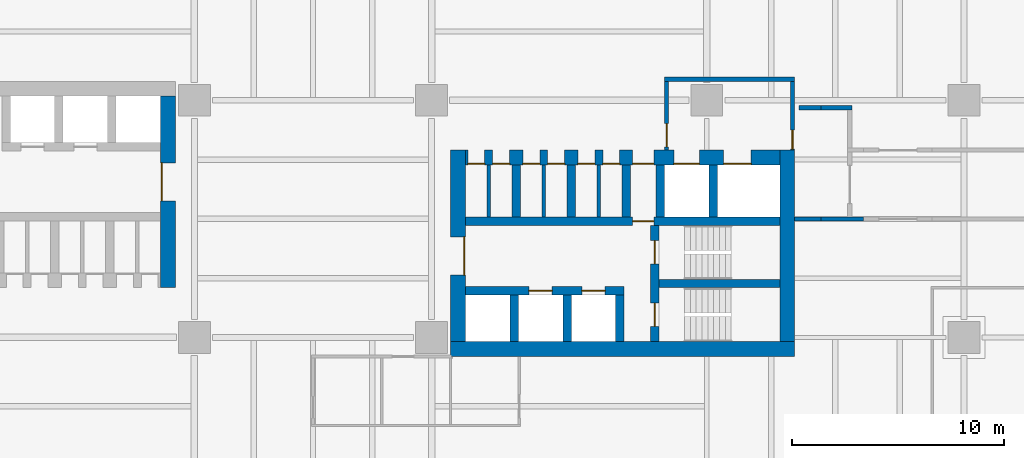
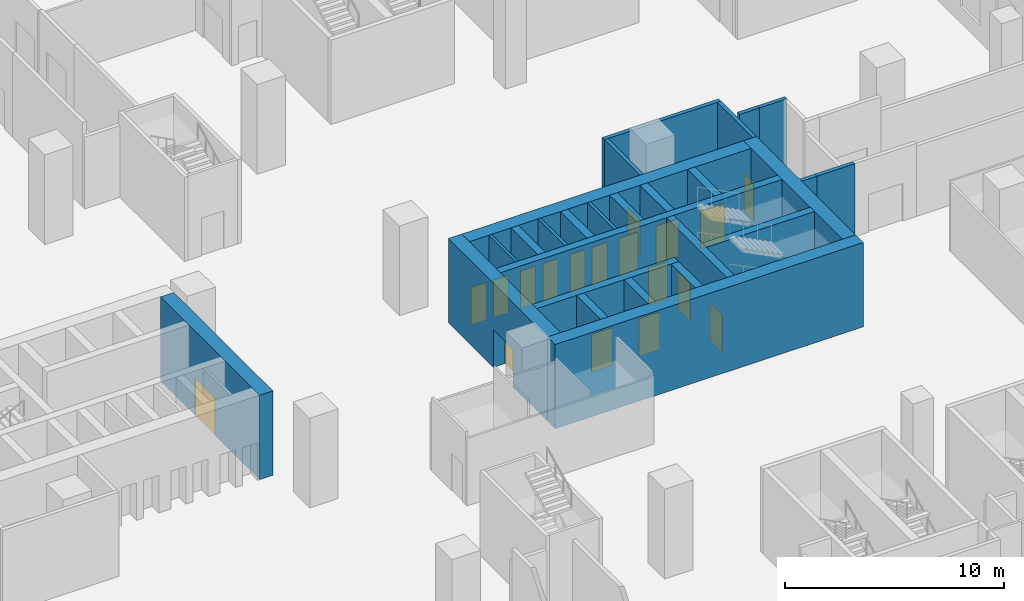
# One storey, part 10 of 17: 27 walls, 18 doors, 18 openings.
"""IFC4 building model written with IfcOpenShell, lengths in metres."""

from ifc_helpers import new_model, si_unit, direction, frame, frame_2d, origin, place, context, subcontext, project, spatial, rectangle, extrude, source, transform, mapped, material, layer, layer_set, type_object, element, fill, save


model = new_model("IFC4")

# Units and contexts
model_context = context("Model", 3, precision=1e-05, world=origin(), true_north=direction((0.0, 1.0)))
body_context = subcontext(model_context, "Body", "Model", "MODEL_VIEW")
ifc_project = project(units=[si_unit("LENGTHUNIT", "METRE"), si_unit("AREAUNIT", "SQUARE_METRE"), si_unit("VOLUMEUNIT", "CUBIC_METRE"), si_unit("PLANEANGLEUNIT", "RADIAN"), si_unit("MASSUNIT", "GRAM", prefix="KILO")], contexts=[model_context])

# Site, building, storey
site_placement = place(None, origin())
site = spatial("IfcSite", under=ifc_project, at=site_placement, CompositionType="ELEMENT")
building_placement = place(site_placement, origin())
building = spatial("IfcBuilding", under=site, at=building_placement, Name="Trellis Farm Tower", CompositionType="ELEMENT")
storey_placement = place(building_placement, frame((0.0, 0.0, 19.0)))
storey = spatial("IfcBuildingStorey", under=building, at=storey_placement, Name="L03", CompositionType="ELEMENT", Elevation=19.0)

# Wall, opening, door
ifc_material_1 = material(Name="Concrete C80/95", Category="concrete")
ifc_layer_1 = layer(ifc_material_1, 0.699951171875)
ifc_layer_set_1 = layer_set([ifc_layer_1], Name="CORE OUTER WALL 700 CONCRETE C80/95")
wall_type_1 = type_object("IfcWallType", Name="CORE OUTER WALL 700 CONCRETE C80/95", PredefinedType="SHEAR", material=ifc_layer_set_1)
shared_shape_1 = source(origin(), body_context, "Body", "SweptSolid", [
    extrude(rectangle(XDim=9.050048828125, YDim=0.699951171875, at=frame_2d((4.52490234375, 0.0))), origin(), (0.0, 0.0, 1.0), 4.699951171875),
])
wall_1_placement = place(storey_placement, frame((6.85009765625, -5.800048828125, 0.0), z_axis=(0.0, 0.0, 1.0), x_axis=(0.0, 1.0, 0.0)))
wall_1 = element("IfcWall", 1, at=wall_1_placement, inside=storey, type_object=wall_type_1, Name="Core wall", PredefinedType="SHEAR", context=body_context, shape_type="MappedRepresentation", body=[
    mapped(shared_shape_1, transform((0.0, 0.0, 0.0))),
])
shared_shape_2 = source(origin(), body_context, "Body", "SweptSolid", [
    extrude(rectangle(XDim=1.800048828125, YDim=2.10009765625, at=frame_2d((0.89990234375, 1.050048828125))), frame((0.0, 0.360107421875, 0.0), z_axis=(0.0, -1.0, 0.0), x_axis=(1.0, 0.0, 0.0)), (0.0, 0.0, 1.0), 0.72021484375),
])
opening_1_placement = place(wall_1_placement, frame((3.14990234375, 0.0, 0.0)))
opening_1 = element("IfcOpeningElement", 2, at=opening_1_placement, cuts=wall_1, Name="Opening DC1", PredefinedType="OPENING", context=body_context, shape_type="MappedRepresentation", body=[
    mapped(shared_shape_2, transform((0.0, 0.0, 0.0))),
])
ifc_material_2 = material(Name="Steel", Category="steel")
door_type_1 = type_object("IfcDoorType", Name="CORE FIRE DOOR DOUBLE 1800 X 2100", OperationType="DOUBLE_DOOR_SINGLE_SWING", PredefinedType="DOOR", material=ifc_material_2)
shared_shape_3 = source(origin(), body_context, "Body", "SweptSolid", [
    extrude(rectangle(XDim=1.800048828125, YDim=2.10009765625, at=frame_2d((0.89990234375, 1.050048828125))), frame((0.0, -0.27490234375, 0.0), z_axis=(0.0, -1.0, 0.0), x_axis=(1.0, 0.0, 0.0)), (0.0, 0.0, 1.0), 0.050048828125),
])
door_1_placement = place(opening_1_placement, origin())
door_1 = element("IfcDoor", 3, at=door_1_placement, inside=storey, type_object=door_type_1, Name="Core door", OperationType="DOUBLE_DOOR_SINGLE_SWING", OverallHeight=2.10009765625, OverallWidth=1.800048828125, PredefinedType="DOOR", context=body_context, shape_type="MappedRepresentation", body=[
    mapped(shared_shape_3, transform((0.0, 0.0, 0.0))),
])
fill(opening_1, door_1)

# Wall
wall_2_placement = place(storey_placement, frame((22.39990234375, -5.800048828125, 0.0), z_axis=(0.0, 0.0, 1.0), x_axis=(0.0, 1.0, 0.0)))
element("IfcWall", 4, at=wall_2_placement, inside=storey, type_object=wall_type_1, Name="Core wall", PredefinedType="SHEAR", context=body_context, shape_type="MappedRepresentation", body=[
    mapped(shared_shape_1, transform((0.0, 0.0, 0.0))),
])

# Wall, opening, door
wall_3_placement = place(storey_placement, frame((-6.85009765625, 5.800048828125, 0.0), z_axis=(0.0, 0.0, 1.0), x_axis=(0.0, -1.0, 0.0)))
wall_3 = element("IfcWall", 5, at=wall_3_placement, inside=storey, type_object=wall_type_1, Name="Core wall", PredefinedType="SHEAR", context=body_context, shape_type="MappedRepresentation", body=[
    mapped(shared_shape_1, transform((0.0, 0.0, 0.0))),
])
opening_2_placement = place(wall_3_placement, frame((3.14990234375, 0.0, 0.0)))
opening_2 = element("IfcOpeningElement", 6, at=opening_2_placement, cuts=wall_3, Name="Opening DC87", PredefinedType="OPENING", context=body_context, shape_type="MappedRepresentation", body=[
    mapped(shared_shape_2, transform((0.0, 0.0, 0.0))),
])
door_2_placement = place(opening_2_placement, origin())
door_2 = element("IfcDoor", 7, at=door_2_placement, inside=storey, type_object=door_type_1, Name="Core door", OperationType="DOUBLE_DOOR_SINGLE_SWING", OverallHeight=2.10009765625, OverallWidth=1.800048828125, PredefinedType="DOOR", context=body_context, shape_type="MappedRepresentation", body=[
    mapped(shared_shape_3, transform((0.0, 0.0, 0.0))),
])
fill(opening_2, door_2)

# Walls
ifc_layer_2 = layer(ifc_material_1, 0.39990234375)
ifc_layer_set_2 = layer_set([ifc_layer_2], Name="CORE INNER WALL 400 CONCRETE C80/95")
wall_type_2 = type_object("IfcWallType", Name="CORE INNER WALL 400 CONCRETE C80/95", PredefinedType="SHEAR", material=ifc_layer_set_2)
shared_shape_4 = source(origin(), body_context, "Body", "SweptSolid", [
    extrude(rectangle(XDim=2.199951171875, YDim=0.39990234375, at=frame_2d((1.10009765625, 0.0))), origin(), (0.0, 0.0, 1.0), 4.699951171875),
])
for number, where, z_axis, x_axis, name in (
    (8, (9.5, -5.800048828125, 0.0), (0.0, 0.0, 1.0), (0.0, 1.0, 0.0), "Core wall"),
    (9, (12.0, -5.800048828125, 0.0), (0.0, 0.0, 1.0), (0.0, 1.0, 0.0), "Core wall"),
    (10, (14.5, -5.800048828125, 0.0), (0.0, 0.0, 1.0), (0.0, 1.0, 0.0), "Core wall"),
):
    element("IfcWall", number, at=place(storey_placement, frame(where, z_axis=z_axis, x_axis=x_axis)), inside=storey, type_object=wall_type_2, Name=name, PredefinedType="SHEAR", context=body_context, shape_type="MappedRepresentation", body=[
        mapped(shared_shape_4, transform((0.0, 0.0, 0.0))),
    ])
shared_shape_5 = source(origin(), body_context, "Body", "SweptSolid", [
    extrude(rectangle(XDim=2.449951171875, YDim=0.39990234375, at=frame_2d((1.22509765625, 0.0))), origin(), (0.0, 0.0, 1.0), 4.699951171875),
])
for number, where, z_axis, x_axis, name in (
    (11, (9.60009765625, 0.10009765625, 0.0), (0.0, 0.0, 1.0), (0.0, 1.0, 0.0), "Core wall"),
    (12, (12.199951171875, 0.10009765625, 0.0), (0.0, 0.0, 1.0), (0.0, 1.0, 0.0), "Core wall"),
    (13, (14.800048828125, 0.10009765625, 0.0), (0.0, 0.0, 1.0), (0.0, 1.0, 0.0), "Core wall"),
    (14, (16.39990234375, 0.10009765625, 0.0), (0.0, 0.0, 1.0), (0.0, 1.0, 0.0), "Core wall"),
    (15, (18.89990234375, 0.10009765625, 0.0), (0.0, 0.0, 1.0), (0.0, 1.0, 0.0), "Core wall"),
):
    element("IfcWall", number, at=place(storey_placement, frame(where, z_axis=z_axis, x_axis=x_axis)), inside=storey, type_object=wall_type_2, Name=name, PredefinedType="SHEAR", context=body_context, shape_type="MappedRepresentation", body=[
        mapped(shared_shape_5, transform((0.0, 0.0, 0.0))),
    ])

# Wall, opening, door
ifc_material_3 = material(Name="Masonry blockwork", Category="masonry")
ifc_layer_3 = layer(ifc_material_3, 0.199951171875)
ifc_layer_set_3 = layer_set([ifc_layer_3], Name="FIRE LOBBY PARTITION 200 BLOCKWORK")
wall_type_3 = type_object("IfcWallType", Name="FIRE LOBBY PARTITION 200 BLOCKWORK", PredefinedType="PARTITIONING", material=ifc_layer_set_3)
shared_shape_6 = source(origin(), body_context, "Body", "SweptSolid", [
    extrude(rectangle(XDim=3.25, YDim=0.199951171875, at=frame_2d((1.625, 0.0))), origin(), (0.0, 0.0, 1.0), 4.699951171875),
])
wall_4_placement = place(storey_placement, frame((16.699951171875, 3.25, 0.0), z_axis=(0.0, 0.0, 1.0), x_axis=(0.0, 1.0, 0.0)))
wall_4 = element("IfcWall", 16, at=wall_4_placement, inside=storey, type_object=wall_type_3, Name="Fire-fighting lobby partition", PredefinedType="PARTITIONING", context=body_context, shape_type="MappedRepresentation", body=[
    mapped(shared_shape_6, transform((0.0, 0.0, 0.0))),
])
shared_shape_7 = source(origin(), body_context, "Body", "SweptSolid", [
    extrude(rectangle(XDim=1.10009765625, YDim=2.10009765625, at=frame_2d((0.550048828125, 1.050048828125))), frame((0.0, 0.110107421875, 0.0), z_axis=(0.0, -1.0, 0.0), x_axis=(1.0, 0.0, 0.0)), (0.0, 0.0, 1.0), 0.22021484375),
])
opening_3_placement = place(wall_4_placement, frame((0.14990234375, 0.0, 0.0)))
opening_3 = element("IfcOpeningElement", 17, at=opening_3_placement, cuts=wall_4, Name="Opening DC7", PredefinedType="OPENING", context=body_context, shape_type="MappedRepresentation", body=[
    mapped(shared_shape_7, transform((0.0, 0.0, 0.0))),
])
door_type_2 = type_object("IfcDoorType", Name="CORE FIRE DOOR 1100 X 2100", OperationType="NOTDEFINED", PredefinedType="DOOR", material=ifc_material_2)
shared_shape_8 = source(origin(), body_context, "Body", "SweptSolid", [
    extrude(rectangle(XDim=1.10009765625, YDim=2.10009765625, at=frame_2d((0.550048828125, 1.050048828125))), frame((0.0, 0.02490234375, 0.0), z_axis=(0.0, -1.0, 0.0), x_axis=(1.0, 0.0, 0.0)), (0.0, 0.0, 1.0), 0.050048828125),
])
door_3_placement = place(opening_3_placement, origin())
door_3 = element("IfcDoor", 18, at=door_3_placement, inside=storey, type_object=door_type_2, Name="Core door", OperationType="SINGLE_SWING_RIGHT", OverallHeight=2.10009765625, OverallWidth=1.10009765625, PredefinedType="DOOR", context=body_context, shape_type="MappedRepresentation", body=[
    mapped(shared_shape_8, transform((0.0, 0.0, 0.0))),
])
fill(opening_3, door_3)

wall_5_placement = place(storey_placement, frame((22.64990234375, 3.25, 0.0), z_axis=(0.0, 0.0, 1.0), x_axis=(0.0, 1.0, 0.0)))
wall_5 = element("IfcWall", 19, at=wall_5_placement, inside=storey, type_object=wall_type_3, Name="Fire-fighting lobby partition", PredefinedType="PARTITIONING", context=body_context, shape_type="MappedRepresentation", body=[
    mapped(shared_shape_6, transform((0.0, 0.0, 0.0))),
])
shared_shape_9 = source(origin(), body_context, "Body", "SweptSolid", [
    extrude(rectangle(XDim=0.89990234375, YDim=2.10009765625, at=frame_2d((0.449951171875, 1.050048828125))), frame((0.0, 0.110107421875, 0.0), z_axis=(0.0, -1.0, 0.0), x_axis=(1.0, 0.0, 0.0)), (0.0, 0.0, 1.0), 0.22021484375),
])
opening_4_placement = place(wall_5_placement, frame((0.050048828125, 0.0, 0.0)))
opening_4 = element("IfcOpeningElement", 20, at=opening_4_placement, cuts=wall_5, Name="Opening DC8", PredefinedType="OPENING", context=body_context, shape_type="MappedRepresentation", body=[
    mapped(shared_shape_9, transform((0.0, 0.0, 0.0))),
])
door_type_3 = type_object("IfcDoorType", Name="CORE FIRE DOOR 900 X 2100", OperationType="NOTDEFINED", PredefinedType="DOOR", material=ifc_material_2)
shared_shape_10 = source(origin(), body_context, "Body", "SweptSolid", [
    extrude(rectangle(XDim=0.89990234375, YDim=2.10009765625, at=frame_2d((0.449951171875, 1.050048828125))), frame((0.0, 0.02490234375, 0.0), z_axis=(0.0, -1.0, 0.0), x_axis=(1.0, 0.0, 0.0)), (0.0, 0.0, 1.0), 0.050048828125),
])
door_4_placement = place(opening_4_placement, origin())
door_4 = element("IfcDoor", 21, at=door_4_placement, inside=storey, type_object=door_type_3, Name="Core door", OperationType="SINGLE_SWING_RIGHT", OverallHeight=2.10009765625, OverallWidth=0.89990234375, PredefinedType="DOOR", context=body_context, shape_type="MappedRepresentation", body=[
    mapped(shared_shape_10, transform((0.0, 0.0, 0.0))),
])
fill(opening_4, door_4)

# Wall
shared_shape_11 = source(origin(), body_context, "Body", "SweptSolid", [
    extrude(rectangle(XDim=16.25, YDim=0.699951171875, at=frame_2d((8.125, 0.0))), origin(), (0.0, 0.0, 1.0), 4.699951171875),
])
wall_6_placement = place(storey_placement, frame((6.5, -6.14990234375, 0.0), z_axis=(0.0, 0.0, 1.0), x_axis=(1.0, 0.0, 0.0)))
element("IfcWall", 22, at=wall_6_placement, inside=storey, type_object=wall_type_1, Name="Core wall", PredefinedType="SHEAR", context=body_context, shape_type="MappedRepresentation", body=[
    mapped(shared_shape_11, transform((0.0, 0.0, 0.0))),
])

# Wall, openings, doors
shared_shape_12 = source(origin(), body_context, "Body", "SweptSolid", [
    extrude(rectangle(XDim=14.85009765625, YDim=0.699951171875, at=frame_2d((7.425048828125, 0.0))), origin(), (0.0, 0.0, 1.0), 4.699951171875),
])
wall_7_placement = place(storey_placement, frame((7.199951171875, 2.89990234375, 0.0), z_axis=(0.0, 0.0, 1.0), x_axis=(1.0, 0.0, 0.0)))
wall_7 = element("IfcWall", 23, at=wall_7_placement, inside=storey, type_object=wall_type_1, Name="Core wall", PredefinedType="SHEAR", context=body_context, shape_type="MappedRepresentation", body=[
    mapped(shared_shape_12, transform((0.0, 0.0, 0.0))),
])
shared_shape_13 = source(origin(), body_context, "Body", "SweptSolid", [
    extrude(rectangle(XDim=1.300048828125, YDim=2.10009765625, at=frame_2d((0.64990234375, 1.050048828125))), frame((0.0, 0.360107421875, 0.0), z_axis=(0.0, -1.0, 0.0), x_axis=(1.0, 0.0, 0.0)), (0.0, 0.0, 1.0), 0.72021484375),
])
opening_5_placement = place(wall_7_placement, frame((12.199951171875, 0.0, 0.0)))
opening_5 = element("IfcOpeningElement", 24, at=opening_5_placement, cuts=wall_7, Name="Opening LD7", PredefinedType="OPENING", context=body_context, shape_type="MappedRepresentation", body=[
    mapped(shared_shape_13, transform((0.0, 0.0, 0.0))),
])
shared_shape_14 = source(origin(), body_context, "Body", "SweptSolid", [
    extrude(rectangle(XDim=1.199951171875, YDim=2.10009765625, at=frame_2d((0.60009765625, 1.050048828125))), frame((0.0, 0.360107421875, 0.0), z_axis=(0.0, -1.0, 0.0), x_axis=(1.0, 0.0, 0.0)), (0.0, 0.0, 1.0), 0.72021484375),
])
opening_6_placement = place(wall_7_placement, frame((9.85009765625, 0.0, 0.0)))
opening_6 = element("IfcOpeningElement", 25, at=opening_6_placement, cuts=wall_7, Name="Opening LD8", PredefinedType="OPENING", context=body_context, shape_type="MappedRepresentation", body=[
    mapped(shared_shape_14, transform((0.0, 0.0, 0.0))),
])
shared_shape_15 = source(origin(), body_context, "Body", "SweptSolid", [
    extrude(rectangle(XDim=1.0, YDim=2.10009765625, at=frame_2d((0.5, 1.050048828125))), frame((0.0, 0.360107421875, 0.0), z_axis=(0.0, -1.0, 0.0), x_axis=(1.0, 0.0, 0.0)), (0.0, 0.0, 1.0), 0.72021484375),
])
opening_7_placement = place(wall_7_placement, frame((7.89990234375, 0.0, 0.0)))
opening_7 = element("IfcOpeningElement", 26, at=opening_7_placement, cuts=wall_7, Name="Opening DC6", PredefinedType="OPENING", context=body_context, shape_type="MappedRepresentation", body=[
    mapped(shared_shape_15, transform((0.0, 0.0, 0.0))),
])
shared_shape_16 = source(origin(), body_context, "Body", "SweptSolid", [
    extrude(rectangle(XDim=0.800048828125, YDim=2.10009765625, at=frame_2d((0.39990234375, 1.050048828125))), frame((0.0, 0.360107421875, 0.0), z_axis=(0.0, -1.0, 0.0), x_axis=(1.0, 0.0, 0.0)), (0.0, 0.0, 1.0), 0.72021484375),
])
opening_8_placement = place(wall_7_placement, frame((0.112548828125, 0.0, 0.0)))
opening_8 = element("IfcOpeningElement", 27, at=opening_8_placement, cuts=wall_7, Name="Opening DC9", PredefinedType="OPENING", context=body_context, shape_type="MappedRepresentation", body=[
    mapped(shared_shape_16, transform((0.0, 0.0, 0.0))),
])
opening_9_placement = place(wall_7_placement, frame((1.28759765625, 0.0, 0.0)))
opening_9 = element("IfcOpeningElement", 28, at=opening_9_placement, cuts=wall_7, Name="Opening DC16", PredefinedType="OPENING", context=body_context, shape_type="MappedRepresentation", body=[
    mapped(shared_shape_16, transform((0.0, 0.0, 0.0))),
])
opening_10_placement = place(wall_7_placement, frame((2.71240234375, 0.0, 0.0)))
opening_10 = element("IfcOpeningElement", 29, at=opening_10_placement, cuts=wall_7, Name="Opening DC21", PredefinedType="OPENING", context=body_context, shape_type="MappedRepresentation", body=[
    mapped(shared_shape_16, transform((0.0, 0.0, 0.0))),
])
opening_11_placement = place(wall_7_placement, frame((3.887451171875, 0.0, 0.0)))
opening_11 = element("IfcOpeningElement", 30, at=opening_11_placement, cuts=wall_7, Name="Opening DC28", PredefinedType="OPENING", context=body_context, shape_type="MappedRepresentation", body=[
    mapped(shared_shape_16, transform((0.0, 0.0, 0.0))),
])
opening_12_placement = place(wall_7_placement, frame((5.3125, 0.0, 0.0)))
opening_12 = element("IfcOpeningElement", 31, at=opening_12_placement, cuts=wall_7, Name="Opening DC33", PredefinedType="OPENING", context=body_context, shape_type="MappedRepresentation", body=[
    mapped(shared_shape_16, transform((0.0, 0.0, 0.0))),
])
opening_13_placement = place(wall_7_placement, frame((6.487548828125, 0.0, 0.0)))
opening_13 = element("IfcOpeningElement", 32, at=opening_13_placement, cuts=wall_7, Name="Opening DC40", PredefinedType="OPENING", context=body_context, shape_type="MappedRepresentation", body=[
    mapped(shared_shape_16, transform((0.0, 0.0, 0.0))),
])
door_type_4 = type_object("IfcDoorType", Name="CORE FIRE DOOR 1000 X 2100", OperationType="NOTDEFINED", PredefinedType="DOOR", material=ifc_material_2)
shared_shape_17 = source(origin(), body_context, "Body", "SweptSolid", [
    extrude(rectangle(XDim=1.0, YDim=2.10009765625, at=frame_2d((0.5, 1.050048828125))), frame((0.0, -0.27490234375, 0.0), z_axis=(0.0, -1.0, 0.0), x_axis=(1.0, 0.0, 0.0)), (0.0, 0.0, 1.0), 0.050048828125),
])
door_5_placement = place(opening_7_placement, origin())
door_5 = element("IfcDoor", 33, at=door_5_placement, inside=storey, type_object=door_type_4, Name="Core door", OperationType="SINGLE_SWING_LEFT", OverallHeight=2.10009765625, OverallWidth=1.0, PredefinedType="DOOR", context=body_context, shape_type="MappedRepresentation", body=[
    mapped(shared_shape_17, transform((0.0, 0.0, 0.0))),
])
fill(opening_7, door_5)
ifc_material_4 = material(Name="Stainless steel", Category="steel")
door_type_5 = type_object("IfcDoorType", Name="LIFT LANDING DOOR 1300 X 2100", OperationType="DOUBLE_DOOR_SLIDING", PredefinedType="DOOR", material=ifc_material_4)
shared_shape_18 = source(origin(), body_context, "Body", "SweptSolid", [
    extrude(rectangle(XDim=1.300048828125, YDim=2.10009765625, at=frame_2d((0.64990234375, 1.050048828125))), frame((0.0, -0.27490234375, 0.0), z_axis=(0.0, -1.0, 0.0), x_axis=(1.0, 0.0, 0.0)), (0.0, 0.0, 1.0), 0.050048828125),
])
door_6_placement = place(opening_5_placement, origin())
door_6 = element("IfcDoor", 34, at=door_6_placement, inside=storey, type_object=door_type_5, Name="Lift landing door", OperationType="DOUBLE_DOOR_SLIDING", OverallHeight=2.10009765625, OverallWidth=1.300048828125, PredefinedType="DOOR", context=body_context, shape_type="MappedRepresentation", body=[
    mapped(shared_shape_18, transform((0.0, 0.0, 0.0))),
])
fill(opening_5, door_6)
door_type_6 = type_object("IfcDoorType", Name="LIFT LANDING DOOR 1200 X 2100", OperationType="DOUBLE_DOOR_SLIDING", PredefinedType="DOOR", material=ifc_material_4)
shared_shape_19 = source(origin(), body_context, "Body", "SweptSolid", [
    extrude(rectangle(XDim=1.199951171875, YDim=2.10009765625, at=frame_2d((0.60009765625, 1.050048828125))), frame((0.0, -0.27490234375, 0.0), z_axis=(0.0, -1.0, 0.0), x_axis=(1.0, 0.0, 0.0)), (0.0, 0.0, 1.0), 0.050048828125),
])
door_7_placement = place(opening_6_placement, origin())
door_7 = element("IfcDoor", 35, at=door_7_placement, inside=storey, type_object=door_type_6, Name="Lift landing door", OperationType="DOUBLE_DOOR_SLIDING", OverallHeight=2.10009765625, OverallWidth=1.199951171875, PredefinedType="DOOR", context=body_context, shape_type="MappedRepresentation", body=[
    mapped(shared_shape_19, transform((0.0, 0.0, 0.0))),
])
fill(opening_6, door_7)
door_type_7 = type_object("IfcDoorType", Name="CORE FIRE DOOR 800 X 2100", OperationType="NOTDEFINED", PredefinedType="DOOR", material=ifc_material_2)
shared_shape_20 = source(origin(), body_context, "Body", "SweptSolid", [
    extrude(rectangle(XDim=0.800048828125, YDim=2.10009765625, at=frame_2d((0.39990234375, 1.050048828125))), frame((0.0, -0.27490234375, 0.0), z_axis=(0.0, -1.0, 0.0), x_axis=(1.0, 0.0, 0.0)), (0.0, 0.0, 1.0), 0.050048828125),
])
door_8_placement = place(opening_8_placement, origin())
door_8 = element("IfcDoor", 36, at=door_8_placement, inside=storey, type_object=door_type_7, Name="Core door", OperationType="SINGLE_SWING_LEFT", OverallHeight=2.10009765625, OverallWidth=0.800048828125, PredefinedType="DOOR", context=body_context, shape_type="MappedRepresentation", body=[
    mapped(shared_shape_20, transform((0.0, 0.0, 0.0))),
])
fill(opening_8, door_8)
door_9_placement = place(opening_9_placement, origin())
door_9 = element("IfcDoor", 37, at=door_9_placement, inside=storey, type_object=door_type_7, Name="Core door", OperationType="SINGLE_SWING_RIGHT", OverallHeight=2.10009765625, OverallWidth=0.800048828125, PredefinedType="DOOR", context=body_context, shape_type="MappedRepresentation", body=[
    mapped(shared_shape_20, transform((0.0, 0.0, 0.0))),
])
fill(opening_9, door_9)
door_10_placement = place(opening_10_placement, origin())
door_10 = element("IfcDoor", 38, at=door_10_placement, inside=storey, type_object=door_type_7, Name="Core door", OperationType="SINGLE_SWING_LEFT", OverallHeight=2.10009765625, OverallWidth=0.800048828125, PredefinedType="DOOR", context=body_context, shape_type="MappedRepresentation", body=[
    mapped(shared_shape_20, transform((0.0, 0.0, 0.0))),
])
fill(opening_10, door_10)
door_11_placement = place(opening_11_placement, origin())
door_11 = element("IfcDoor", 39, at=door_11_placement, inside=storey, type_object=door_type_7, Name="Core door", OperationType="SINGLE_SWING_RIGHT", OverallHeight=2.10009765625, OverallWidth=0.800048828125, PredefinedType="DOOR", context=body_context, shape_type="MappedRepresentation", body=[
    mapped(shared_shape_20, transform((0.0, 0.0, 0.0))),
])
fill(opening_11, door_11)
door_12_placement = place(opening_12_placement, origin())
door_12 = element("IfcDoor", 40, at=door_12_placement, inside=storey, type_object=door_type_7, Name="Core door", OperationType="SINGLE_SWING_LEFT", OverallHeight=2.10009765625, OverallWidth=0.800048828125, PredefinedType="DOOR", context=body_context, shape_type="MappedRepresentation", body=[
    mapped(shared_shape_20, transform((0.0, 0.0, 0.0))),
])
fill(opening_12, door_12)
door_13_placement = place(opening_13_placement, origin())
door_13 = element("IfcDoor", 41, at=door_13_placement, inside=storey, type_object=door_type_7, Name="Core door", OperationType="SINGLE_SWING_RIGHT", OverallHeight=2.10009765625, OverallWidth=0.800048828125, PredefinedType="DOOR", context=body_context, shape_type="MappedRepresentation", body=[
    mapped(shared_shape_20, transform((0.0, 0.0, 0.0))),
])
fill(opening_13, door_13)

shared_shape_21 = source(origin(), body_context, "Body", "SweptSolid", [
    extrude(rectangle(XDim=7.5, YDim=0.39990234375, at=frame_2d((3.75, 0.0))), origin(), (0.0, 0.0, 1.0), 4.699951171875),
])
wall_8_placement = place(storey_placement, frame((7.199951171875, -3.39990234375, 0.0), z_axis=(0.0, 0.0, 1.0), x_axis=(1.0, 0.0, 0.0)))
wall_8 = element("IfcWall", 42, at=wall_8_placement, inside=storey, type_object=wall_type_2, Name="Core wall", PredefinedType="SHEAR", context=body_context, shape_type="MappedRepresentation", body=[
    mapped(shared_shape_21, transform((0.0, 0.0, 0.0))),
])
shared_shape_22 = source(origin(), body_context, "Body", "SweptSolid", [
    extrude(rectangle(XDim=1.10009765625, YDim=2.10009765625, at=frame_2d((0.550048828125, 1.050048828125))), frame((0.0, 0.2099609375, 0.0), z_axis=(0.0, -1.0, 0.0), x_axis=(1.0, 0.0, 0.0)), (0.0, 0.0, 1.0), 0.419921875),
])
opening_14_placement = place(wall_8_placement, frame((3.0, 0.0, 0.0)))
opening_14 = element("IfcOpeningElement", 43, at=opening_14_placement, cuts=wall_8, Name="Opening LD2", PredefinedType="OPENING", context=body_context, shape_type="MappedRepresentation", body=[
    mapped(shared_shape_22, transform((0.0, 0.0, 0.0))),
])
opening_15_placement = place(wall_8_placement, frame((5.5, 0.0, 0.0)))
opening_15 = element("IfcOpeningElement", 44, at=opening_15_placement, cuts=wall_8, Name="Opening LD3", PredefinedType="OPENING", context=body_context, shape_type="MappedRepresentation", body=[
    mapped(shared_shape_22, transform((0.0, 0.0, 0.0))),
])
door_type_8 = type_object("IfcDoorType", Name="LIFT LANDING DOOR 1100 X 2100", OperationType="DOUBLE_DOOR_SLIDING", PredefinedType="DOOR", material=ifc_material_4)
door_14_placement = place(opening_14_placement, origin())
door_14 = element("IfcDoor", 45, at=door_14_placement, inside=storey, type_object=door_type_8, Name="Lift landing door", OperationType="DOUBLE_DOOR_SLIDING", OverallHeight=2.10009765625, OverallWidth=1.10009765625, PredefinedType="DOOR", context=body_context, shape_type="MappedRepresentation", body=[
    mapped(shared_shape_8, transform((0.0, 0.0, 0.0))),
])
fill(opening_14, door_14)
door_15_placement = place(opening_15_placement, origin())
door_15 = element("IfcDoor", 46, at=door_15_placement, inside=storey, type_object=door_type_8, Name="Lift landing door", OperationType="DOUBLE_DOOR_SLIDING", OverallHeight=2.10009765625, OverallWidth=1.10009765625, PredefinedType="DOOR", context=body_context, shape_type="MappedRepresentation", body=[
    mapped(shared_shape_8, transform((0.0, 0.0, 0.0))),
])
fill(opening_15, door_15)

# Wall, opening, door
shared_shape_23 = source(origin(), body_context, "Body", "SweptSolid", [
    extrude(rectangle(XDim=14.85009765625, YDim=0.39990234375, at=frame_2d((7.425048828125, 0.0))), origin(), (0.0, 0.0, 1.0), 4.699951171875),
])
wall_9_placement = place(storey_placement, frame((7.199951171875, -0.10009765625, 0.0), z_axis=(0.0, 0.0, 1.0), x_axis=(1.0, 0.0, 0.0)))
wall_9 = element("IfcWall", 47, at=wall_9_placement, inside=storey, type_object=wall_type_2, Name="Core wall", PredefinedType="SHEAR", context=body_context, shape_type="MappedRepresentation", body=[
    mapped(shared_shape_23, transform((0.0, 0.0, 0.0))),
])
shared_shape_24 = source(origin(), body_context, "Body", "SweptSolid", [
    extrude(rectangle(XDim=1.0, YDim=2.10009765625, at=frame_2d((0.5, 1.050048828125))), frame((0.0, 0.2099609375, 0.0), z_axis=(0.0, -1.0, 0.0), x_axis=(1.0, 0.0, 0.0)), (0.0, 0.0, 1.0), 0.419921875),
])
opening_16_placement = place(wall_9_placement, frame((7.89990234375, 0.0, 0.0)))
opening_16 = element("IfcOpeningElement", 48, at=opening_16_placement, cuts=wall_9, Name="Opening DC5", PredefinedType="OPENING", context=body_context, shape_type="MappedRepresentation", body=[
    mapped(shared_shape_24, transform((0.0, 0.0, 0.0))),
])
shared_shape_25 = source(origin(), body_context, "Body", "SweptSolid", [
    extrude(rectangle(XDim=1.0, YDim=2.10009765625, at=frame_2d((0.5, 1.050048828125))), frame((0.0, 0.02490234375, 0.0), z_axis=(0.0, -1.0, 0.0), x_axis=(1.0, 0.0, 0.0)), (0.0, 0.0, 1.0), 0.050048828125),
])
door_16_placement = place(opening_16_placement, origin())
door_16 = element("IfcDoor", 49, at=door_16_placement, inside=storey, type_object=door_type_4, Name="Core door", OperationType="SINGLE_SWING_RIGHT", OverallHeight=2.10009765625, OverallWidth=1.0, PredefinedType="DOOR", context=body_context, shape_type="MappedRepresentation", body=[
    mapped(shared_shape_25, transform((0.0, 0.0, 0.0))),
])
fill(opening_16, door_16)

# Wall, openings, doors
shared_shape_26 = source(origin(), body_context, "Body", "SweptSolid", [
    extrude(rectangle(XDim=5.5, YDim=0.39990234375, at=frame_2d((2.75, 0.0))), origin(), (0.0, 0.0, 1.0), 4.699951171875),
])
wall_10_placement = place(storey_placement, frame((16.14990234375, -5.800048828125, 0.0), z_axis=(0.0, 0.0, 1.0), x_axis=(0.0, 1.0, 0.0)))
wall_10 = element("IfcWall", 50, at=wall_10_placement, inside=storey, type_object=wall_type_2, Name="Core wall", PredefinedType="SHEAR", context=body_context, shape_type="MappedRepresentation", body=[
    mapped(shared_shape_26, transform((0.0, 0.0, 0.0))),
])
opening_17_placement = place(wall_10_placement, frame((0.72509765625, 0.0, 0.0)))
opening_17 = element("IfcOpeningElement", 51, at=opening_17_placement, cuts=wall_10, Name="Opening DC2", PredefinedType="OPENING", context=body_context, shape_type="MappedRepresentation", body=[
    mapped(shared_shape_22, transform((0.0, 0.0, 0.0))),
])
opening_18_placement = place(wall_10_placement, frame((3.675048828125, 0.0, 0.0)))
opening_18 = element("IfcOpeningElement", 52, at=opening_18_placement, cuts=wall_10, Name="Opening DC3", PredefinedType="OPENING", context=body_context, shape_type="MappedRepresentation", body=[
    mapped(shared_shape_22, transform((0.0, 0.0, 0.0))),
])
door_17_placement = place(opening_17_placement, origin())
door_17 = element("IfcDoor", 53, at=door_17_placement, inside=storey, type_object=door_type_2, Name="Core door", OperationType="SINGLE_SWING_RIGHT", OverallHeight=2.10009765625, OverallWidth=1.10009765625, PredefinedType="DOOR", context=body_context, shape_type="MappedRepresentation", body=[
    mapped(shared_shape_8, transform((0.0, 0.0, 0.0))),
])
fill(opening_17, door_17)
door_18_placement = place(opening_18_placement, origin())
door_18 = element("IfcDoor", 54, at=door_18_placement, inside=storey, type_object=door_type_2, Name="Core door", OperationType="SINGLE_SWING_LEFT", OverallHeight=2.10009765625, OverallWidth=1.10009765625, PredefinedType="DOOR", context=body_context, shape_type="MappedRepresentation", body=[
    mapped(shared_shape_8, transform((0.0, 0.0, 0.0))),
])
fill(opening_18, door_18)

# Walls
shared_shape_27 = source(origin(), body_context, "Body", "SweptSolid", [
    extrude(rectangle(XDim=5.699951171875, YDim=0.39990234375, at=frame_2d((2.85009765625, 0.0))), origin(), (0.0, 0.0, 1.0), 4.699951171875),
])
wall_11_placement = place(storey_placement, frame((16.35009765625, -3.050048828125, 0.0), z_axis=(0.0, 0.0, 1.0), x_axis=(1.0, 0.0, 0.0)))
element("IfcWall", 55, at=wall_11_placement, inside=storey, type_object=wall_type_2, Name="Core wall", PredefinedType="SHEAR", context=body_context, shape_type="MappedRepresentation", body=[
    mapped(shared_shape_27, transform((0.0, 0.0, 0.0))),
])
shared_shape_28 = source(origin(), body_context, "Body", "SweptSolid", [
    extrude(rectangle(XDim=6.14990234375, YDim=0.199951171875, at=frame_2d((3.074951171875, 0.0))), origin(), (0.0, 0.0, 1.0), 4.699951171875),
])
wall_12_placement = place(storey_placement, frame((16.60009765625, 6.60009765625, 0.0), z_axis=(0.0, 0.0, 1.0), x_axis=(1.0, 0.0, 0.0)))
element("IfcWall", 56, at=wall_12_placement, inside=storey, type_object=wall_type_3, Name="Fire-fighting lobby partition", PredefinedType="PARTITIONING", context=body_context, shape_type="MappedRepresentation", body=[
    mapped(shared_shape_28, transform((0.0, 0.0, 0.0))),
])
ifc_layer_4 = layer(ifc_material_3, 0.14990234375)
ifc_layer_set_4 = layer_set([ifc_layer_4], Name="CORE PARTITION 150 BLOCKWORK")
wall_type_4 = type_object("IfcWallType", Name="CORE PARTITION 150 BLOCKWORK", PredefinedType="PARTITIONING", material=ifc_layer_set_4)
shared_shape_29 = source(origin(), body_context, "Body", "SweptSolid", [
    extrude(rectangle(XDim=2.449951171875, YDim=0.14990234375, at=frame_2d((1.22509765625, 0.0))), origin(), (0.0, 0.0, 1.0), 4.699951171875),
])
for number, where, z_axis, x_axis, name in (
    (57, (8.300048828125, 0.10009765625, 0.0), (0.0, 0.0, 1.0), (0.0, 1.0, 0.0), "Core room partition"),
    (58, (10.89990234375, 0.10009765625, 0.0), (0.0, 0.0, 1.0), (0.0, 1.0, 0.0), "Core room partition"),
    (59, (13.5, 0.10009765625, 0.0), (0.0, 0.0, 1.0), (0.0, 1.0, 0.0), "Core room partition"),
):
    element("IfcWall", number, at=place(storey_placement, frame(where, z_axis=z_axis, x_axis=x_axis)), inside=storey, type_object=wall_type_4, Name=name, PredefinedType="PARTITIONING", context=body_context, shape_type="MappedRepresentation", body=[
        mapped(shared_shape_29, transform((0.0, 0.0, 0.0))),
    ])
ifc_material_5 = material(Name="Lightweight blockwork, plastered", Category="masonry")
ifc_layer_5 = layer(ifc_material_5, 0.199951171875)
ifc_layer_set_5 = layer_set([ifc_layer_5], Name="BLOCK WALL 200 EI 120")
wall_type_5 = type_object("IfcWallType", Name="BLOCK WALL 200 EI 120", PredefinedType="PARTITIONING", material=ifc_layer_set_5)
shared_shape_30 = source(origin(), body_context, "Body", "SweptSolid", [
    extrude(rectangle(XDim=1.25, YDim=0.199951171875, at=frame_2d((0.625, 0.0))), origin(), (0.0, 0.0, 1.0), 4.077392578125),
])
wall_13_placement = place(storey_placement, frame((22.75, 0.0, 0.0), z_axis=(0.0, 0.0, 1.0), x_axis=(1.0, 0.0, 0.0)))
element("IfcWall", 60, at=wall_13_placement, inside=storey, type_object=wall_type_5, Name="Partition PW3", PredefinedType="PARTITIONING", context=body_context, shape_type="MappedRepresentation", body=[
    mapped(shared_shape_30, transform((0.0, 0.0, 0.0))),
])
shared_shape_31 = source(origin(), body_context, "Body", "SweptSolid", [
    extrude(rectangle(XDim=2.0, YDim=0.199951171875, at=frame_2d((1.0, 0.0))), origin(), (0.0, 0.0, 1.0), 4.077392578125),
])
wall_14_placement = place(storey_placement, frame((26.0, 0.0, 0.0), z_axis=(0.0, 0.0, 1.0), x_axis=(-1.0, 0.0, 0.0)))
element("IfcWall", 61, at=wall_14_placement, inside=storey, type_object=wall_type_5, Name="Partition PW3", PredefinedType="PARTITIONING", context=body_context, shape_type="MappedRepresentation", body=[
    mapped(shared_shape_31, transform((0.0, 0.0, 0.0))),
])
shared_shape_32 = source(origin(), body_context, "Body", "SweptSolid", [
    extrude(rectangle(XDim=1.050048828125, YDim=0.199951171875, at=frame_2d((0.52490234375, 0.0))), origin(), (0.0, 0.0, 1.0), 4.699951171875),
])
wall_15_placement = place(storey_placement, frame((22.949951171875, 5.25, 0.0), z_axis=(0.0, 0.0, 1.0), x_axis=(1.0, 0.0, 0.0)))
element("IfcWall", 62, at=wall_15_placement, inside=storey, type_object=wall_type_5, Name="Partition PW3", PredefinedType="PARTITIONING", context=body_context, shape_type="MappedRepresentation", body=[
    mapped(shared_shape_32, transform((0.0, 0.0, 0.0))),
])
shared_shape_33 = source(origin(), body_context, "Body", "SweptSolid", [
    extrude(rectangle(XDim=1.449951171875, YDim=0.199951171875, at=frame_2d((0.72509765625, 0.0))), origin(), (0.0, 0.0, 1.0), 4.699951171875),
])
wall_16_placement = place(storey_placement, frame((24.0, 5.25, 0.0), z_axis=(0.0, 0.0, 1.0), x_axis=(1.0, 0.0, 0.0)))
element("IfcWall", 63, at=wall_16_placement, inside=storey, type_object=wall_type_5, Name="Partition PW3", PredefinedType="PARTITIONING", context=body_context, shape_type="MappedRepresentation", body=[
    mapped(shared_shape_33, transform((0.0, 0.0, 0.0))),
])

save(model, "model.ifc")
